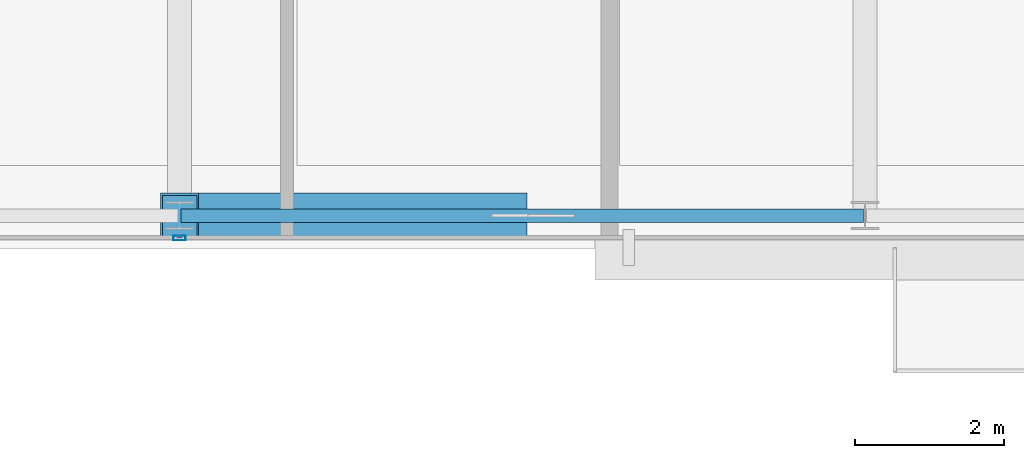
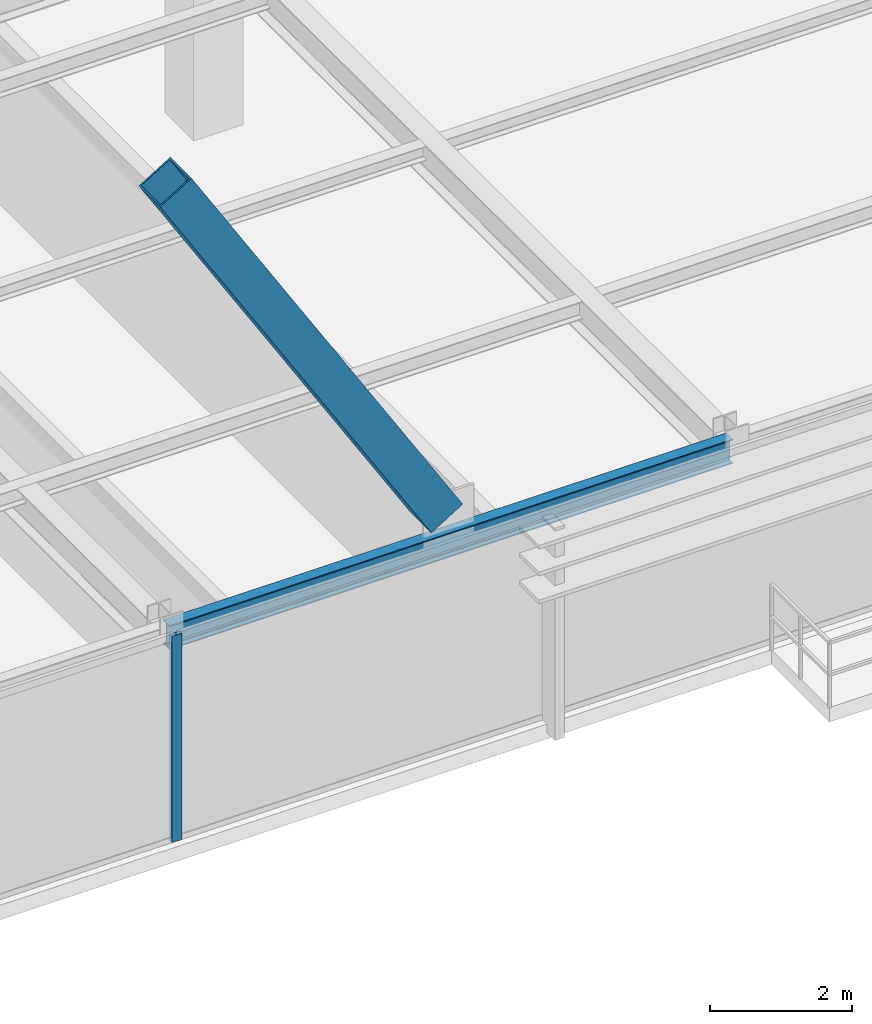
# One storey, part 8 of 32: 2 members, 1 beam, 1 element without a shape of its own.
"""IFC4 building model written with IfcOpenShell, lengths in metres."""

from ifc_helpers import new_model, si_unit, direction, frame, origin, origin_2d, place, context, subcontext, project, spatial, hollow_rectangle, i_section, extrude, source, transform, mapped, material, layer, layer_set, material_profile, profile_set, type_object, type_shapes, element, aggregate, save


model = new_model("IFC4")

# Units and contexts
model_context = context("Model", 3, precision=1e-05, world=origin(), true_north=direction((0.0, 1.0)))
body_context = subcontext(model_context, "Body", "Model", "MODEL_VIEW")
ifc_project = project(units=[si_unit("LENGTHUNIT", "METRE"), si_unit("AREAUNIT", "SQUARE_METRE"), si_unit("VOLUMEUNIT", "CUBIC_METRE"), si_unit("PLANEANGLEUNIT", "RADIAN"), si_unit("MASSUNIT", "GRAM", prefix="KILO")], contexts=[model_context])

# Site, building, storey
site_placement = place(None, origin())
site = spatial("IfcSite", under=ifc_project, at=site_placement, CompositionType="ELEMENT")
building_placement = place(site_placement, origin())
building = spatial("IfcBuilding", under=site, at=building_placement, Name="Varnel Quay Broadcast Tower", CompositionType="ELEMENT")
storey_placement = place(building_placement, frame((0.0, 0.0, 164.800048828125)))
storey = spatial("IfcBuildingStorey", under=building, at=storey_placement, Name="L40", CompositionType="ELEMENT", Elevation=164.800048828125)

# Beam
ifc_material_1 = material(Name="Structural Steel CSA G40.21 350W", Category="steel")
ifc_material_profile_1 = material_profile(ifc_material_1, i_section(OverallWidth=0.180908203125, OverallDepth=0.4169921875, WebThickness=0.010986328125, FlangeThickness=0.018310546875, FilletRadius=0.011962890625, at=origin_2d()), Name="W410X85")
ifc_profile_set_1 = profile_set([ifc_material_profile_1], Name="Structural Steel CSA G40.21 350W")
beam_type = type_object("IfcBeamType", Name="Beam_W410X85", PredefinedType="SPANDREL", material=ifc_profile_set_1)
shared_shape_1 = source(origin(), body_context, "Body", "SweptSolid", [
    extrude(i_section(OverallWidth=0.180908203125, OverallDepth=0.4169921875, WebThickness=0.010986328125, FlangeThickness=0.018310546875, FilletRadius=0.011962890625, at=origin_2d()), origin(), (0.0, 0.0, 1.0), 9.159912109375),
])
type_shapes(beam_type, [shared_shape_1])
beam_placement = place(storey_placement, frame((34.02001953125, 7.64990234375, 3.341552734375), z_axis=(1.0, 0.0, 0.0), x_axis=(0.0, 1.0, 0.0)))
element("IfcBeam", 1, at=beam_placement, inside=storey, type_object=beam_type, Name="L40 South Spandrel TC-S3-TC-S4", PredefinedType="SPANDREL", context=body_context, shape_type="MappedRepresentation", body=[
    mapped(shared_shape_1, transform((0.0, 0.0, 0.0), x_axis=(1.0, 0.0, 0.0), y_axis=(0.0, 1.0, 0.0), z_axis=(0.0, 0.0, 1.0), scale=1.0)),
])

# Member
ifc_material_2 = material(Name="Structural Steel CSA G40.21 350WT", Category="steel")
ifc_material_profile_2 = material_profile(ifc_material_2, hollow_rectangle(XDim=0.60009765625, YDim=0.60009765625, WallThickness=0.028076171875, at=origin_2d()), Name="BOX600X600X28")
ifc_profile_set_2 = profile_set([ifc_material_profile_2], Name="Structural Steel CSA G40.21 350WT")
member_type_1 = type_object("IfcMemberType", Name="Brace_BOX600X600X28", PredefinedType="BRACE", material=ifc_profile_set_2)
shared_shape_2 = source(origin(), body_context, "Body", "SweptSolid", [
    extrude(hollow_rectangle(XDim=0.60009765625, YDim=0.60009765625, WallThickness=0.028076171875, at=origin_2d()), origin(), (0.0, 0.0, 1.0), 8.399169921875),
])
type_shapes(member_type_1, [shared_shape_2])
member_1_placement = place(storey_placement, frame((38.41064453125, 7.64990234375, 3.98193359375), z_axis=(-0.525125243666, 0.0, 0.851024957604), x_axis=(0.0, -1.0, 0.0)))
element("IfcMember", 2, at=member_1_placement, inside=storey, type_object=member_type_1, Name="Zone 3 Mega-Brace S-C2T2 Split Diag B2", PredefinedType="BRACE", context=body_context, shape_type="MappedRepresentation", body=[
    mapped(shared_shape_2, transform((0.0, 0.0, 0.0), x_axis=(1.0, 0.0, 0.0), y_axis=(0.0, 1.0, 0.0), z_axis=(0.0, 0.0, 1.0), scale=1.0)),
])

# Curtain wall, member
ifc_material_3 = material(Name="Anodised Bronze Aluminium 6063-T6", Category="aluminium")
ifc_layer = layer(ifc_material_3, 0.18994140625, Name="Anodised Bronze Aluminium 6063-T6")
ifc_layer_set = layer_set([ifc_layer], Name="Anodised Bronze Aluminium 6063-T6")
curtain_wall_type = type_object("IfcCurtainWallType", Name="CW_UpperTower", PredefinedType="NOTDEFINED", material=ifc_layer_set)
curtain_wall_placement = place(storey_placement, origin())
curtain_wall = element("IfcCurtainWall", 3, at=curtain_wall_placement, inside=storey, type_object=curtain_wall_type, Name="L40 South Unitised Curtain Wall 2", PredefinedType="NOTDEFINED")
ifc_material_profile_3 = material_profile(ifc_material_3, hollow_rectangle(XDim=0.06494140625, YDim=0.1650390625, WallThickness=0.00341796875, at=origin_2d()), Name="ALU65X165X3.5")
ifc_profile_set_3 = profile_set([ifc_material_profile_3], Name="Anodised Bronze Aluminium 6063-T6")
member_type_2 = type_object("IfcMemberType", Name="Mull_CWS-03", PredefinedType="MULLION", material=ifc_profile_set_3)
shared_shape_3 = source(origin(), body_context, "Body", "SweptSolid", [
    extrude(hollow_rectangle(XDim=0.06494140625, YDim=0.1650390625, WallThickness=0.00341796875, at=origin_2d()), origin(), (0.0, 0.0, 1.0), 3.550048828125),
])
type_shapes(member_type_2, [shared_shape_3])
member_2_placement = place(storey_placement, frame((34.0, 7.35009765625, 0.0), z_axis=(0.0, 0.0, 1.0), x_axis=(0.0, 1.0, 0.0)))
member_2 = element("IfcMember", 4, at=member_2_placement, type_object=member_type_2, Name="CWS-03 mullion 2", PredefinedType="MULLION", context=body_context, shape_type="MappedRepresentation", body=[
    mapped(shared_shape_3, transform((0.0, 0.0, 0.0), x_axis=(1.0, 0.0, 0.0), y_axis=(0.0, 1.0, 0.0), z_axis=(0.0, 0.0, 1.0), scale=1.0)),
])
aggregate(curtain_wall, [member_2])

save(model, "model.ifc")
